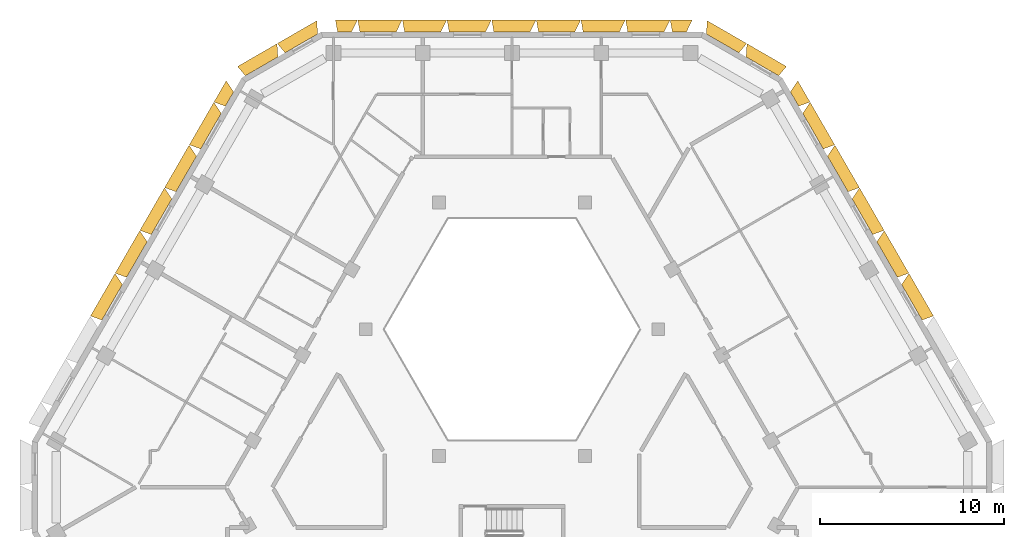
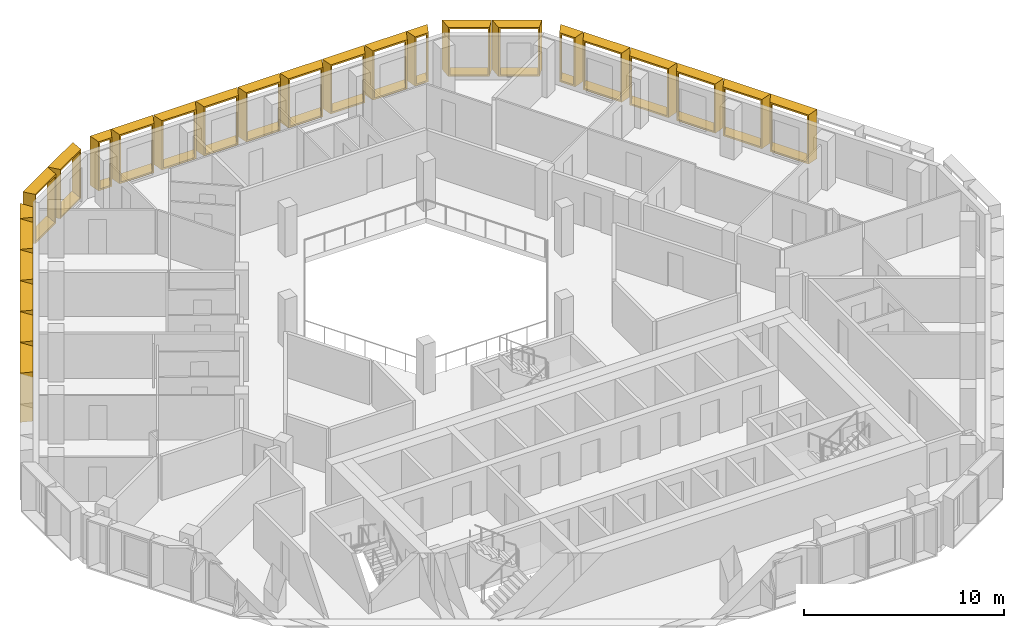
# One storey, part 15 of 15: 25 shading devices.
"""IFC4 building model written with IfcOpenShell, lengths in metres."""

from ifc_helpers import new_model, entity, si_unit, direction, frame, origin, place, context, subcontext, project, spatial, source, transform, mapped, material, type_object, type_shapes, element, save


model = new_model("IFC4")

# Units and contexts
model_context = context("Model", 3, precision=1e-05, world=origin(), true_north=direction((0.0, 1.0)))
body_context = subcontext(model_context, "Body", "Model", "MODEL_VIEW")
ifc_project = project(units=[si_unit("LENGTHUNIT", "METRE"), si_unit("AREAUNIT", "SQUARE_METRE"), si_unit("VOLUMEUNIT", "CUBIC_METRE"), si_unit("PLANEANGLEUNIT", "RADIAN"), si_unit("MASSUNIT", "GRAM", prefix="KILO")], contexts=[model_context])

# Site, building, storey
site_placement = place(None, origin())
site = spatial("IfcSite", under=ifc_project, at=site_placement, CompositionType="ELEMENT")
building_placement = place(site_placement, origin())
building = spatial("IfcBuilding", under=site, at=building_placement, Name="Beryl Residences", CompositionType="ELEMENT")
storey_placement = place(building_placement, frame((0.0, 0.0, 169.199951171875)))
storey = spatial("IfcBuildingStorey", under=building, at=storey_placement, Name="L51", CompositionType="ELEMENT", Elevation=169.199951171875)

# Shading devices
ifc_material_1 = material(Name="Aluminium pale anodised", Category="aluminium")
shading_device_type_1 = type_object("IfcShadingDeviceType", Name="FR122-65B OUTER SKIN frame 650 mm deep, splay 26/10 deg, 1220 x 3000 mm cell", PredefinedType="USERDEFINED", material=ifc_material_1)
cartesian_point_1 = entity("IfcCartesianPoint", [-0.384033203125, 0.0])
cartesian_point_2 = entity("IfcCartesianPoint", [-0.294921875, 0.10009765625])
cartesian_point_3 = entity("IfcCartesianPoint", [-0.700927734375, 0.0])
cartesian_point_4 = entity("IfcCartesianPoint", [-0.612060546875, 0.10009765625])
shared_shape_1 = source(origin(), body_context, "Body", "SweptSolid", [
    entity("IfcExtrudedAreaSolidTapered", entity("IfcArbitraryProfileDefWithVoids", "AREA", None, entity("IfcPolyline", [cartesian_point_1, entity("IfcCartesianPoint", [0.384033203125, 0.0]), entity("IfcCartesianPoint", [0.384033203125, 3.0]), entity("IfcCartesianPoint", [-0.384033203125, 3.0]), cartesian_point_1]), [entity("IfcPolyline", [cartesian_point_2, entity("IfcCartesianPoint", [0.302734375, 0.10009765625]), entity("IfcCartesianPoint", [0.302734375, 2.89990234375]), entity("IfcCartesianPoint", [-0.294921875, 2.89990234375]), cartesian_point_2])]), entity("IfcAxis2Placement3D", entity("IfcCartesianPoint", [0.0, 0.0, 0.0]), entity("IfcDirection", [0.0, 1.0, 0.0]), entity("IfcDirection", [-1.0, 0.0, 0.0])), entity("IfcDirection", [0.0, 0.0, 1.0]), 0.64990234375, entity("IfcArbitraryProfileDefWithVoids", "AREA", None, entity("IfcPolyline", [cartesian_point_3, entity("IfcCartesianPoint", [0.49853515625, 0.0]), entity("IfcCartesianPoint", [0.49853515625, 3.0]), entity("IfcCartesianPoint", [-0.700927734375, 3.0]), cartesian_point_3]), [entity("IfcPolyline", [cartesian_point_4, entity("IfcCartesianPoint", [0.41748046875, 0.10009765625]), entity("IfcCartesianPoint", [0.41748046875, 2.89990234375]), entity("IfcCartesianPoint", [-0.612060546875, 2.89990234375]), cartesian_point_4])])),
])
type_shapes(shading_device_type_1, [shared_shape_1])
for number, where, z_axis, x_axis, name in (
    (1, (9.1201171875, 24.199951171875, 0.0), (0.0, 0.0, 1.0), (1.0, 0.0, 0.0), "FR122-65B frame L51 N 1"),
    (2, (-9.1201171875, 24.199951171875, 0.0), (0.0, 0.0, 1.0), (1.0, 0.0, 0.0), "FR122-65B frame L51 N 9"),
):
    element("IfcShadingDevice", number, at=place(storey_placement, frame(where, z_axis=z_axis, x_axis=x_axis)), inside=storey, type_object=shading_device_type_1, Name=name, ObjectType="OUTER SKIN", PredefinedType="USERDEFINED", context=body_context, shape_type="MappedRepresentation", body=[
        mapped(shared_shape_1, transform((0.0, 0.0, 0.0))),
    ])
ifc_material_2 = material(Name="Aluminium pale anodised", Category="aluminium")
shading_device_type_2 = type_object("IfcShadingDeviceType", Name="FR135-65B OUTER SKIN frame 650 mm deep, splay 26/10 deg, 1350 x 3000 mm cell", PredefinedType="USERDEFINED", material=ifc_material_2)
cartesian_point_5 = entity("IfcCartesianPoint", [-0.448974609375, 0.0])
cartesian_point_6 = entity("IfcCartesianPoint", [-0.360107421875, 0.10009765625])
cartesian_point_7 = entity("IfcCartesianPoint", [-0.76611328125, 0.0])
cartesian_point_8 = entity("IfcCartesianPoint", [-0.677001953125, 0.10009765625])
shared_shape_2 = source(origin(), body_context, "Body", "SweptSolid", [
    entity("IfcExtrudedAreaSolidTapered", entity("IfcArbitraryProfileDefWithVoids", "AREA", None, entity("IfcPolyline", [cartesian_point_5, entity("IfcCartesianPoint", [0.448974609375, 0.0]), entity("IfcCartesianPoint", [0.448974609375, 3.0]), entity("IfcCartesianPoint", [-0.448974609375, 3.0]), cartesian_point_5]), [entity("IfcPolyline", [cartesian_point_6, entity("IfcCartesianPoint", [0.36767578125, 0.10009765625]), entity("IfcCartesianPoint", [0.36767578125, 2.89990234375]), entity("IfcCartesianPoint", [-0.360107421875, 2.89990234375]), cartesian_point_6])]), entity("IfcAxis2Placement3D", entity("IfcCartesianPoint", [0.0, 0.0, 0.0]), entity("IfcDirection", [0.0, 1.0, 0.0]), entity("IfcDirection", [-1.0, 0.0, 0.0])), entity("IfcDirection", [0.0, 0.0, 1.0]), 0.64990234375, entity("IfcArbitraryProfileDefWithVoids", "AREA", None, entity("IfcPolyline", [cartesian_point_7, entity("IfcCartesianPoint", [0.563720703125, 0.0]), entity("IfcCartesianPoint", [0.563720703125, 3.0]), entity("IfcCartesianPoint", [-0.76611328125, 3.0]), cartesian_point_7]), [entity("IfcPolyline", [cartesian_point_8, entity("IfcCartesianPoint", [0.482421875, 0.10009765625]), entity("IfcCartesianPoint", [0.482421875, 2.89990234375]), entity("IfcCartesianPoint", [-0.677001953125, 2.89990234375]), cartesian_point_8])])),
])
type_shapes(shading_device_type_2, [shared_shape_2])
shading_device_1_placement = place(storey_placement, frame((-15.39111328125, 20.54296875, 0.0), z_axis=(0.0, 0.0, 1.0), x_axis=(0.5, 0.866025403784, 0.0)))
element("IfcShadingDevice", 3, at=shading_device_1_placement, inside=storey, type_object=shading_device_type_2, Name="FR135-65B frame L51 NW 1", ObjectType="OUTER SKIN", PredefinedType="USERDEFINED", context=body_context, shape_type="MappedRepresentation", body=[
    mapped(shared_shape_2, transform((0.0, 0.0, 0.0))),
])
ifc_material_3 = material(Name="Aluminium pale anodised", Category="aluminium")
shading_device_type_3 = type_object("IfcShadingDeviceType", Name="FR135-65C OUTER SKIN frame 650 mm deep, splay 10/26 deg, 1350 x 3000 mm cell", PredefinedType="USERDEFINED", material=ifc_material_3)
cartesian_point_9 = entity("IfcCartesianPoint", [-0.448974609375, 0.0])
cartesian_point_10 = entity("IfcCartesianPoint", [-0.36767578125, 0.10009765625])
cartesian_point_11 = entity("IfcCartesianPoint", [-0.563720703125, 0.0])
cartesian_point_12 = entity("IfcCartesianPoint", [-0.482421875, 0.10009765625])
shared_shape_3 = source(origin(), body_context, "Body", "SweptSolid", [
    entity("IfcExtrudedAreaSolidTapered", entity("IfcArbitraryProfileDefWithVoids", "AREA", None, entity("IfcPolyline", [cartesian_point_9, entity("IfcCartesianPoint", [0.448974609375, 0.0]), entity("IfcCartesianPoint", [0.448974609375, 3.0]), entity("IfcCartesianPoint", [-0.448974609375, 3.0]), cartesian_point_9]), [entity("IfcPolyline", [cartesian_point_10, entity("IfcCartesianPoint", [0.360107421875, 0.10009765625]), entity("IfcCartesianPoint", [0.360107421875, 2.89990234375]), entity("IfcCartesianPoint", [-0.36767578125, 2.89990234375]), cartesian_point_10])]), entity("IfcAxis2Placement3D", entity("IfcCartesianPoint", [0.0, 0.0, 0.0]), entity("IfcDirection", [0.0, 1.0, 0.0]), entity("IfcDirection", [-1.0, 0.0, 0.0])), entity("IfcDirection", [0.0, 0.0, 1.0]), 0.64990234375, entity("IfcArbitraryProfileDefWithVoids", "AREA", None, entity("IfcPolyline", [cartesian_point_11, entity("IfcCartesianPoint", [0.76611328125, 0.0]), entity("IfcCartesianPoint", [0.76611328125, 3.0]), entity("IfcCartesianPoint", [-0.563720703125, 3.0]), cartesian_point_11]), [entity("IfcPolyline", [cartesian_point_12, entity("IfcCartesianPoint", [0.677001953125, 0.10009765625]), entity("IfcCartesianPoint", [0.677001953125, 2.89990234375]), entity("IfcCartesianPoint", [-0.482421875, 2.89990234375]), cartesian_point_12])])),
])
type_shapes(shading_device_type_3, [shared_shape_3])
shading_device_2_placement = place(storey_placement, frame((15.39111328125, 20.54296875, 0.0), z_axis=(0.0, 0.0, 1.0), x_axis=(0.5, -0.866025403784, 0.0)))
element("IfcShadingDevice", 4, at=shading_device_2_placement, inside=storey, type_object=shading_device_type_3, Name="FR135-65C frame L51 NE 9", ObjectType="OUTER SKIN", PredefinedType="USERDEFINED", context=body_context, shape_type="MappedRepresentation", body=[
    mapped(shared_shape_3, transform((0.0, 0.0, 0.0))),
])
ifc_material_4 = material(Name="Aluminium pale anodised", Category="aluminium")
shading_device_type_4 = type_object("IfcShadingDeviceType", Name="FR243-65B OUTER SKIN frame 650 mm deep, splay 26/10 deg, 2430 x 3000 mm cell", PredefinedType="USERDEFINED", material=ifc_material_4)
cartesian_point_13 = entity("IfcCartesianPoint", [-0.989013671875, 0.0])
cartesian_point_14 = entity("IfcCartesianPoint", [-0.89990234375, 0.10009765625])
cartesian_point_15 = entity("IfcCartesianPoint", [-1.305908203125, 0.0])
cartesian_point_16 = entity("IfcCartesianPoint", [-1.217041015625, 0.10009765625])
shared_shape_4 = source(origin(), body_context, "Body", "SweptSolid", [
    entity("IfcExtrudedAreaSolidTapered", entity("IfcArbitraryProfileDefWithVoids", "AREA", None, entity("IfcPolyline", [cartesian_point_13, entity("IfcCartesianPoint", [0.989013671875, 0.0]), entity("IfcCartesianPoint", [0.989013671875, 3.0]), entity("IfcCartesianPoint", [-0.989013671875, 3.0]), cartesian_point_13]), [entity("IfcPolyline", [cartesian_point_14, entity("IfcCartesianPoint", [0.90771484375, 0.10009765625]), entity("IfcCartesianPoint", [0.90771484375, 2.89990234375]), entity("IfcCartesianPoint", [-0.89990234375, 2.89990234375]), cartesian_point_14])]), entity("IfcAxis2Placement3D", entity("IfcCartesianPoint", [0.0, 0.0, 0.0]), entity("IfcDirection", [0.0, 1.0, 0.0]), entity("IfcDirection", [-1.0, 0.0, 0.0])), entity("IfcDirection", [0.0, 0.0, 1.0]), 0.64990234375, entity("IfcArbitraryProfileDefWithVoids", "AREA", None, entity("IfcPolyline", [cartesian_point_15, entity("IfcCartesianPoint", [1.103515625, 0.0]), entity("IfcCartesianPoint", [1.103515625, 3.0]), entity("IfcCartesianPoint", [-1.305908203125, 3.0]), cartesian_point_15]), [entity("IfcPolyline", [cartesian_point_16, entity("IfcCartesianPoint", [1.0224609375, 0.10009765625]), entity("IfcCartesianPoint", [1.0224609375, 2.89990234375]), entity("IfcCartesianPoint", [-1.217041015625, 2.89990234375]), cartesian_point_16])])),
])
type_shapes(shading_device_type_4, [shared_shape_4])
for number, where, z_axis, x_axis, name in (
    (5, (7.2958984375, 24.199951171875, 0.0), (0.0, 0.0, 1.0), (1.0, 0.0, 0.0), "FR243-65B frame L51 N 2"),
    (6, (4.864013671875, 24.199951171875, 0.0), (0.0, 0.0, 1.0), (1.0, 0.0, 0.0), "FR243-65B frame L51 N 3"),
    (7, (2.431884765625, 24.199951171875, 0.0), (0.0, 0.0, 1.0), (1.0, 0.0, 0.0), "FR243-65B frame L51 N 4"),
    (8, (0.0, 24.199951171875, 0.0), (0.0, 0.0, 1.0), (1.0, 0.0, 0.0), "FR243-65B frame L51 N 5"),
    (9, (-2.431884765625, 24.199951171875, 0.0), (0.0, 0.0, 1.0), (1.0, 0.0, 0.0), "FR243-65B frame L51 N 6"),
    (10, (-4.864013671875, 24.199951171875, 0.0), (0.0, 0.0, 1.0), (1.0, 0.0, 0.0), "FR243-65B frame L51 N 7"),
    (11, (-7.2958984375, 24.199951171875, 0.0), (0.0, 0.0, 1.0), (1.0, 0.0, 0.0), "FR243-65B frame L51 N 8"),
):
    element("IfcShadingDevice", number, at=place(storey_placement, frame(where, z_axis=z_axis, x_axis=x_axis)), inside=storey, type_object=shading_device_type_4, Name=name, ObjectType="OUTER SKIN", PredefinedType="USERDEFINED", context=body_context, shape_type="MappedRepresentation", body=[
        mapped(shared_shape_4, transform((0.0, 0.0, 0.0))),
    ])
ifc_material_5 = material(Name="Aluminium pale anodised", Category="aluminium")
shading_device_type_5 = type_object("IfcShadingDeviceType", Name="FR250-65B OUTER SKIN frame 650 mm deep, splay 26/10 deg, 2500 x 3000 mm cell", PredefinedType="USERDEFINED", material=ifc_material_5)
cartesian_point_17 = entity("IfcCartesianPoint", [-1.02392578125, 0.0])
cartesian_point_18 = entity("IfcCartesianPoint", [-0.93505859375, 0.10009765625])
cartesian_point_19 = entity("IfcCartesianPoint", [-1.341064453125, 0.0])
cartesian_point_20 = entity("IfcCartesianPoint", [-1.251953125, 0.10009765625])
shared_shape_5 = source(origin(), body_context, "Body", "SweptSolid", [
    entity("IfcExtrudedAreaSolidTapered", entity("IfcArbitraryProfileDefWithVoids", "AREA", None, entity("IfcPolyline", [cartesian_point_17, entity("IfcCartesianPoint", [1.02392578125, 0.0]), entity("IfcCartesianPoint", [1.02392578125, 3.0]), entity("IfcCartesianPoint", [-1.02392578125, 3.0]), cartesian_point_17]), [entity("IfcPolyline", [cartesian_point_18, entity("IfcCartesianPoint", [0.94287109375, 0.10009765625]), entity("IfcCartesianPoint", [0.94287109375, 2.89990234375]), entity("IfcCartesianPoint", [-0.93505859375, 2.89990234375]), cartesian_point_18])]), entity("IfcAxis2Placement3D", entity("IfcCartesianPoint", [0.0, 0.0, 0.0]), entity("IfcDirection", [0.0, 1.0, 0.0]), entity("IfcDirection", [-1.0, 0.0, 0.0])), entity("IfcDirection", [0.0, 0.0, 1.0]), 0.64990234375, entity("IfcArbitraryProfileDefWithVoids", "AREA", None, entity("IfcPolyline", [cartesian_point_19, entity("IfcCartesianPoint", [1.138671875, 0.0]), entity("IfcCartesianPoint", [1.138671875, 3.0]), entity("IfcCartesianPoint", [-1.341064453125, 3.0]), cartesian_point_19]), [entity("IfcPolyline", [cartesian_point_20, entity("IfcCartesianPoint", [1.057373046875, 0.10009765625]), entity("IfcCartesianPoint", [1.057373046875, 2.89990234375]), entity("IfcCartesianPoint", [-1.251953125, 2.89990234375]), cartesian_point_20])])),
])
type_shapes(shading_device_type_5, [shared_shape_5])
for number, where, z_axis, x_axis, name in (
    (12, (-11.47412109375, 23.574951171875, 0.0), (0.0, 0.0, 1.0), (0.866025403784, 0.5, 0.0), "FR250-65B frame L51 N-NW 1"),
    (13, (-13.638916015625, 22.324951171875, 0.0), (0.0, 0.0, 1.0), (0.866025403784, 0.5, 0.0), "FR250-65B frame L51 N-NW 2"),
):
    element("IfcShadingDevice", number, at=place(storey_placement, frame(where, z_axis=z_axis, x_axis=x_axis)), inside=storey, type_object=shading_device_type_5, Name=name, ObjectType="OUTER SKIN", PredefinedType="USERDEFINED", context=body_context, shape_type="MappedRepresentation", body=[
        mapped(shared_shape_5, transform((0.0, 0.0, 0.0))),
    ])
ifc_material_6 = material(Name="Aluminium pale anodised", Category="aluminium")
shading_device_type_6 = type_object("IfcShadingDeviceType", Name="FR250-65C OUTER SKIN frame 650 mm deep, splay 10/26 deg, 2500 x 3000 mm cell", PredefinedType="USERDEFINED", material=ifc_material_6)
cartesian_point_21 = entity("IfcCartesianPoint", [-1.02392578125, 0.0])
cartesian_point_22 = entity("IfcCartesianPoint", [-0.94287109375, 0.10009765625])
cartesian_point_23 = entity("IfcCartesianPoint", [-1.138671875, 0.0])
cartesian_point_24 = entity("IfcCartesianPoint", [-1.057373046875, 0.10009765625])
shared_shape_6 = source(origin(), body_context, "Body", "SweptSolid", [
    entity("IfcExtrudedAreaSolidTapered", entity("IfcArbitraryProfileDefWithVoids", "AREA", None, entity("IfcPolyline", [cartesian_point_21, entity("IfcCartesianPoint", [1.02392578125, 0.0]), entity("IfcCartesianPoint", [1.02392578125, 3.0]), entity("IfcCartesianPoint", [-1.02392578125, 3.0]), cartesian_point_21]), [entity("IfcPolyline", [cartesian_point_22, entity("IfcCartesianPoint", [0.93505859375, 0.10009765625]), entity("IfcCartesianPoint", [0.93505859375, 2.89990234375]), entity("IfcCartesianPoint", [-0.94287109375, 2.89990234375]), cartesian_point_22])]), entity("IfcAxis2Placement3D", entity("IfcCartesianPoint", [0.0, 0.0, 0.0]), entity("IfcDirection", [0.0, 1.0, 0.0]), entity("IfcDirection", [-1.0, 0.0, 0.0])), entity("IfcDirection", [0.0, 0.0, 1.0]), 0.64990234375, entity("IfcArbitraryProfileDefWithVoids", "AREA", None, entity("IfcPolyline", [cartesian_point_23, entity("IfcCartesianPoint", [1.341064453125, 0.0]), entity("IfcCartesianPoint", [1.341064453125, 3.0]), entity("IfcCartesianPoint", [-1.138671875, 3.0]), cartesian_point_23]), [entity("IfcPolyline", [cartesian_point_24, entity("IfcCartesianPoint", [1.251953125, 0.10009765625]), entity("IfcCartesianPoint", [1.251953125, 2.89990234375]), entity("IfcCartesianPoint", [-1.057373046875, 2.89990234375]), cartesian_point_24])])),
])
type_shapes(shading_device_type_6, [shared_shape_6])
for number, where, z_axis, x_axis, name in (
    (14, (13.638916015625, 22.324951171875, 0.0), (0.0, 0.0, 1.0), (0.866025403784, -0.5, 0.0), "FR250-65C frame L51 NE-N 1"),
    (15, (11.47412109375, 23.574951171875, 0.0), (0.0, 0.0, 1.0), (0.866025403784, -0.5, 0.0), "FR250-65C frame L51 NE-N 2"),
):
    element("IfcShadingDevice", number, at=place(storey_placement, frame(where, z_axis=z_axis, x_axis=x_axis)), inside=storey, type_object=shading_device_type_6, Name=name, ObjectType="OUTER SKIN", PredefinedType="USERDEFINED", context=body_context, shape_type="MappedRepresentation", body=[
        mapped(shared_shape_6, transform((0.0, 0.0, 0.0))),
    ])
ifc_material_7 = material(Name="Aluminium pale anodised", Category="aluminium")
shading_device_type_7 = type_object("IfcShadingDeviceType", Name="FR269-65B OUTER SKIN frame 650 mm deep, splay 26/10 deg, 2690 x 3000 mm cell", PredefinedType="USERDEFINED", material=ifc_material_7)
cartesian_point_25 = entity("IfcCartesianPoint", [-1.118896484375, 0.0])
cartesian_point_26 = entity("IfcCartesianPoint", [-1.030029296875, 0.10009765625])
cartesian_point_27 = entity("IfcCartesianPoint", [-1.43603515625, 0.0])
cartesian_point_28 = entity("IfcCartesianPoint", [-1.346923828125, 0.10009765625])
shared_shape_7 = source(origin(), body_context, "Body", "SweptSolid", [
    entity("IfcExtrudedAreaSolidTapered", entity("IfcArbitraryProfileDefWithVoids", "AREA", None, entity("IfcPolyline", [cartesian_point_25, entity("IfcCartesianPoint", [1.118896484375, 0.0]), entity("IfcCartesianPoint", [1.118896484375, 3.0]), entity("IfcCartesianPoint", [-1.118896484375, 3.0]), cartesian_point_25]), [entity("IfcPolyline", [cartesian_point_26, entity("IfcCartesianPoint", [1.037841796875, 0.10009765625]), entity("IfcCartesianPoint", [1.037841796875, 2.89990234375]), entity("IfcCartesianPoint", [-1.030029296875, 2.89990234375]), cartesian_point_26])]), entity("IfcAxis2Placement3D", entity("IfcCartesianPoint", [0.0, 0.0, 0.0]), entity("IfcDirection", [0.0, 1.0, 0.0]), entity("IfcDirection", [-1.0, 0.0, 0.0])), entity("IfcDirection", [0.0, 0.0, 1.0]), 0.64990234375, entity("IfcArbitraryProfileDefWithVoids", "AREA", None, entity("IfcPolyline", [cartesian_point_27, entity("IfcCartesianPoint", [1.233642578125, 0.0]), entity("IfcCartesianPoint", [1.233642578125, 3.0]), entity("IfcCartesianPoint", [-1.43603515625, 3.0]), cartesian_point_27]), [entity("IfcPolyline", [cartesian_point_28, entity("IfcCartesianPoint", [1.15234375, 0.10009765625]), entity("IfcCartesianPoint", [1.15234375, 2.89990234375]), entity("IfcCartesianPoint", [-1.346923828125, 2.89990234375]), cartesian_point_28])])),
])
type_shapes(shading_device_type_7, [shared_shape_7])
for number, where, z_axis, x_axis, name in (
    (16, (-16.39990234375, 18.7939453125, 0.0), (0.0, 0.0, 1.0), (0.5, 0.866025403784, 0.0), "FR269-65B frame L51 NW 2"),
    (17, (-17.74609375, 16.462890625, 0.0), (0.0, 0.0, 1.0), (0.5, 0.866025403784, 0.0), "FR269-65B frame L51 NW 3"),
    (18, (-19.092041015625, 14.131103515625, 0.0), (0.0, 0.0, 1.0), (0.5, 0.866025403784, 0.0), "FR269-65B frame L51 NW 4"),
    (19, (-20.43798828125, 11.800048828125, 0.0), (0.0, 0.0, 1.0), (0.5, 0.866025403784, 0.0), "FR269-65B frame L51 NW 5"),
    (20, (-21.783935546875, 9.468994140625, 0.0), (0.0, 0.0, 1.0), (0.5, 0.866025403784, 0.0), "FR269-65B frame L51 NW 6"),
):
    element("IfcShadingDevice", number, at=place(storey_placement, frame(where, z_axis=z_axis, x_axis=x_axis)), inside=storey, type_object=shading_device_type_7, Name=name, ObjectType="OUTER SKIN", PredefinedType="USERDEFINED", context=body_context, shape_type="MappedRepresentation", body=[
        mapped(shared_shape_7, transform((0.0, 0.0, 0.0))),
    ])
ifc_material_8 = material(Name="Aluminium pale anodised", Category="aluminium")
shading_device_type_8 = type_object("IfcShadingDeviceType", Name="FR269-65C OUTER SKIN frame 650 mm deep, splay 10/26 deg, 2690 x 3000 mm cell", PredefinedType="USERDEFINED", material=ifc_material_8)
cartesian_point_29 = entity("IfcCartesianPoint", [-1.118896484375, 0.0])
cartesian_point_30 = entity("IfcCartesianPoint", [-1.037841796875, 0.10009765625])
cartesian_point_31 = entity("IfcCartesianPoint", [-1.233642578125, 0.0])
cartesian_point_32 = entity("IfcCartesianPoint", [-1.15234375, 0.10009765625])
shared_shape_8 = source(origin(), body_context, "Body", "SweptSolid", [
    entity("IfcExtrudedAreaSolidTapered", entity("IfcArbitraryProfileDefWithVoids", "AREA", None, entity("IfcPolyline", [cartesian_point_29, entity("IfcCartesianPoint", [1.118896484375, 0.0]), entity("IfcCartesianPoint", [1.118896484375, 3.0]), entity("IfcCartesianPoint", [-1.118896484375, 3.0]), cartesian_point_29]), [entity("IfcPolyline", [cartesian_point_30, entity("IfcCartesianPoint", [1.030029296875, 0.10009765625]), entity("IfcCartesianPoint", [1.030029296875, 2.89990234375]), entity("IfcCartesianPoint", [-1.037841796875, 2.89990234375]), cartesian_point_30])]), entity("IfcAxis2Placement3D", entity("IfcCartesianPoint", [0.0, 0.0, 0.0]), entity("IfcDirection", [0.0, 1.0, 0.0]), entity("IfcDirection", [-1.0, 0.0, 0.0])), entity("IfcDirection", [0.0, 0.0, 1.0]), 0.64990234375, entity("IfcArbitraryProfileDefWithVoids", "AREA", None, entity("IfcPolyline", [cartesian_point_31, entity("IfcCartesianPoint", [1.43603515625, 0.0]), entity("IfcCartesianPoint", [1.43603515625, 3.0]), entity("IfcCartesianPoint", [-1.233642578125, 3.0]), cartesian_point_31]), [entity("IfcPolyline", [cartesian_point_32, entity("IfcCartesianPoint", [1.346923828125, 0.10009765625]), entity("IfcCartesianPoint", [1.346923828125, 2.89990234375]), entity("IfcCartesianPoint", [-1.15234375, 2.89990234375]), cartesian_point_32])])),
])
type_shapes(shading_device_type_8, [shared_shape_8])
for number, where, z_axis, x_axis, name in (
    (21, (21.783935546875, 9.468994140625, 0.0), (0.0, 0.0, 1.0), (0.5, -0.866025403784, 0.0), "FR269-65C frame L51 NE 4"),
    (22, (20.43798828125, 11.800048828125, 0.0), (0.0, 0.0, 1.0), (0.5, -0.866025403784, 0.0), "FR269-65C frame L51 NE 5"),
    (23, (19.092041015625, 14.131103515625, 0.0), (0.0, 0.0, 1.0), (0.5, -0.866025403784, 0.0), "FR269-65C frame L51 NE 6"),
    (24, (17.74609375, 16.462890625, 0.0), (0.0, 0.0, 1.0), (0.5, -0.866025403784, 0.0), "FR269-65C frame L51 NE 7"),
    (25, (16.39990234375, 18.7939453125, 0.0), (0.0, 0.0, 1.0), (0.5, -0.866025403784, 0.0), "FR269-65C frame L51 NE 8"),
):
    element("IfcShadingDevice", number, at=place(storey_placement, frame(where, z_axis=z_axis, x_axis=x_axis)), inside=storey, type_object=shading_device_type_8, Name=name, ObjectType="OUTER SKIN", PredefinedType="USERDEFINED", context=body_context, shape_type="MappedRepresentation", body=[
        mapped(shared_shape_8, transform((0.0, 0.0, 0.0))),
    ])

save(model, "model.ifc")
